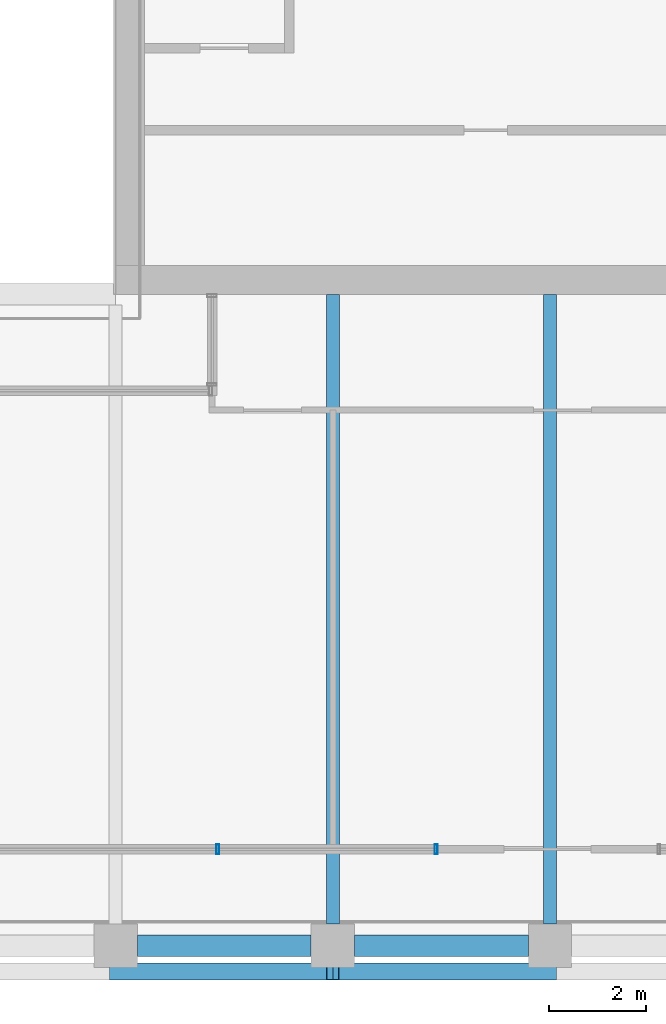
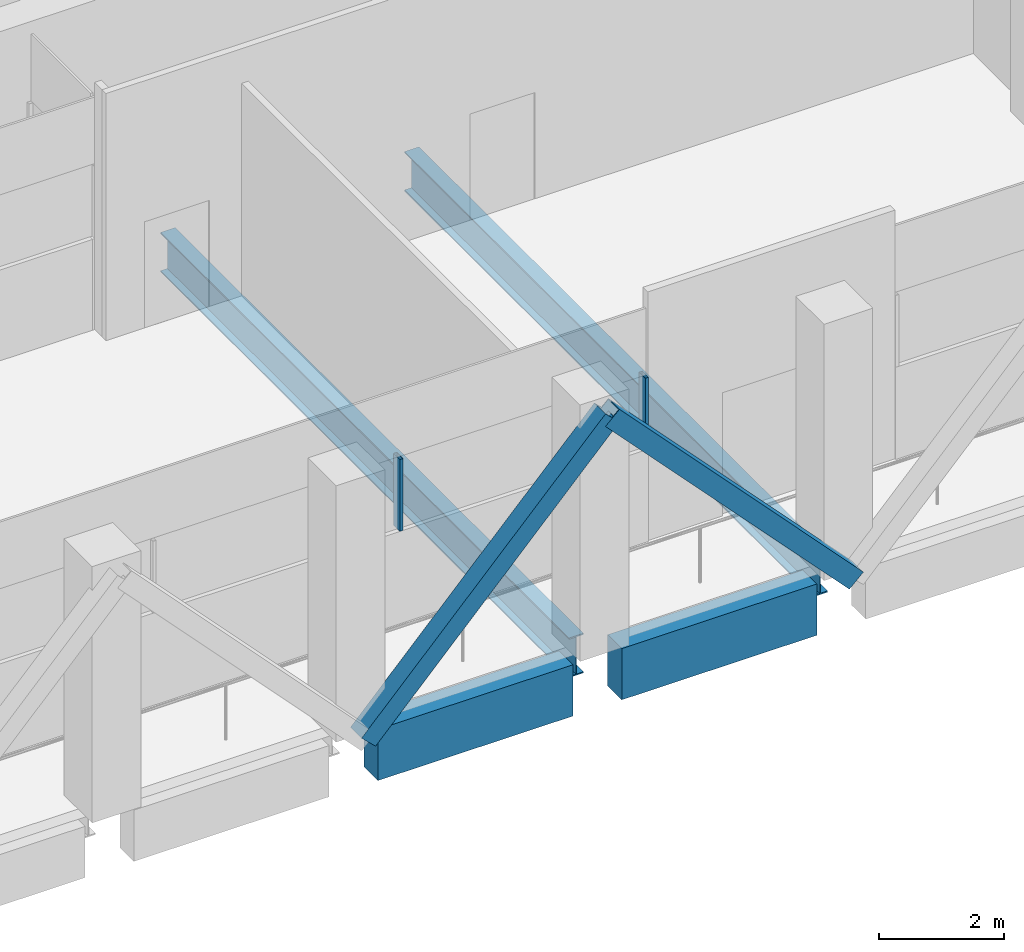
# One storey, part 5 of 34: 4 beams, 4 members, 1 element without a shape of its own.
"""IFC4 building model written with IfcOpenShell, lengths in metres."""

from ifc_helpers import new_model, si_unit, direction, frame, origin, origin_2d, place, context, subcontext, project, spatial, rectangle, hollow_rectangle, i_section, extrude, material, material_profile, profile_set, type_object, element, aggregate, save


model = new_model("IFC4")

# Units and contexts
model_context = context("Model", 3, precision=1e-05, world=origin(), true_north=direction((0.0, 1.0)))
body_context = subcontext(model_context, "Body", "Model", "MODEL_VIEW")
ifc_project = project(units=[si_unit("LENGTHUNIT", "METRE"), si_unit("AREAUNIT", "SQUARE_METRE"), si_unit("VOLUMEUNIT", "CUBIC_METRE"), si_unit("PLANEANGLEUNIT", "RADIAN"), si_unit("MASSUNIT", "GRAM", prefix="KILO")], contexts=[model_context])

# Site, building, storey
site_placement = place(None, origin())
site = spatial("IfcSite", under=ifc_project, at=site_placement, CompositionType="ELEMENT")
building_placement = place(site_placement, origin())
building = spatial("IfcBuilding", under=site, at=building_placement, Name="Altepetl Exchange Towers", CompositionType="ELEMENT")
storey_placement = place(building_placement, frame((0.0, 0.0, 190.60009765625)))
storey = spatial("IfcBuildingStorey", under=building, at=storey_placement, Name="L48 Refuge", CompositionType="ELEMENT", Elevation=190.60009765625)

# Members
ifc_material_1 = material(Name="Steel S355", Category="steel")
ifc_material_profile_1 = material_profile(ifc_material_1, hollow_rectangle(XDim=0.35595703125, YDim=0.35595703125, WallThickness=0.014892578125, at=origin_2d()), Name="HSS356X356X15.9")
ifc_profile_set_1 = profile_set([ifc_material_profile_1], Name="Steel S355")
member_type_1 = type_object("IfcMemberType", Name="Belt diagonal HSS356X356X15.9", PredefinedType="BRACE", material=ifc_profile_set_1)
for number, where, z_axis, x_axis, name in (
    (1, (40.5, 26.469970703125, 0.0), (0.687744647911, 0.0, 0.725952683906), (0.0, 1.0, 0.0), "brc:A:L48:002"),
    (2, (45.0, 26.469970703125, 4.75), (0.687744647911, 0.0, -0.725952683906), (0.0, 1.0, 0.0), "brc:A:L48:003"),
):
    element("IfcMember", number, at=place(storey_placement, frame(where, z_axis=z_axis, x_axis=x_axis)), inside=storey, type_object=member_type_1, Name=name, PredefinedType="BRACE", context=body_context, shape_type="SweptSolid", body=[
        extrude(hollow_rectangle(XDim=0.35595703125, YDim=0.35595703125, WallThickness=0.014892578125, at=origin_2d()), origin(), (0.0, 0.0, 1.0), 6.543212890625),
    ])

# Beams
ifc_material_profile_2 = material_profile(ifc_material_1, i_section(OverallWidth=0.26806640625, OverallDepth=0.77392578125, WebThickness=0.015380859375, FlangeThickness=0.025390625, at=origin_2d()), Name="W30X132")
ifc_profile_set_2 = profile_set([ifc_material_profile_2], Name="Steel S355")
beam_type_1 = type_object("IfcBeamType", Name="Floor beam W30X132", PredefinedType="BEAM", material=ifc_profile_set_2)
for number, where, z_axis, x_axis, name in (
    (3, (45.0, 27.449951171875, -0.587158203125), (0.0, 1.0, 0.0), (-1.0, 0.0, 0.0), "bm:A:L48:015"),
    (4, (49.5, 27.449951171875, -0.587158203125), (0.0, 1.0, 0.0), (-1.0, 0.0, 0.0), "bm:A:L48:016"),
):
    element("IfcBeam", number, at=place(storey_placement, frame(where, z_axis=z_axis, x_axis=x_axis)), inside=storey, type_object=beam_type_1, Name=name, PredefinedType="BEAM", context=body_context, shape_type="SweptSolid", body=[
        extrude(i_section(OverallWidth=0.26806640625, OverallDepth=0.77392578125, WebThickness=0.015380859375, FlangeThickness=0.025390625, at=origin_2d()), origin(), (0.0, 0.0, 1.0), 13.050048828125),
    ])

# Curtain wall, members
ifc_material_2 = material(Name="Aluminium 6063-T6 glazing", Category="aluminium")
curtain_wall_type = type_object("IfcCurtainWallType", Name="Refuge slit glazing system", PredefinedType="NOTDEFINED", material=ifc_material_2)
curtain_wall_placement = place(storey_placement, origin())
curtain_wall = element("IfcCurtainWall", 5, at=curtain_wall_placement, inside=storey, type_object=curtain_wall_type, Name="CW3 run", PredefinedType="NOTDEFINED")
ifc_material_3 = material(Name="Aluminium 6063-T6", Category="aluminium")
ifc_material_profile_3 = material_profile(ifc_material_3, hollow_rectangle(XDim=0.06005859375, YDim=0.199951171875, WallThickness=0.0029296875, at=origin_2d()), Name="Mullion 60x200 aluminium")
ifc_profile_set_3 = profile_set([ifc_material_profile_3], Name="Aluminium 6063-T6")
member_type_2 = type_object("IfcMemberType", Name="Mullion 60x200 aluminium", PredefinedType="MULLION", material=ifc_profile_set_3)
member_1_placement = place(storey_placement, frame((42.6142578125, 29.0, 1.7998046875)))
member_1 = element("IfcMember", 6, at=member_1_placement, type_object=member_type_2, Name="MU2 mullion", PredefinedType="MULLION", context=body_context, shape_type="SweptSolid", body=[
    extrude(hollow_rectangle(XDim=0.06005859375, YDim=0.199951171875, WallThickness=0.0029296875, at=origin_2d()), origin(), (0.0, 0.0, 1.0), 1.400146484375),
])
member_2_placement = place(storey_placement, frame((47.141357421875, 29.0, 1.7998046875)))
member_2 = element("IfcMember", 7, at=member_2_placement, type_object=member_type_2, Name="MU2 mullion", PredefinedType="MULLION", context=body_context, shape_type="SweptSolid", body=[
    extrude(hollow_rectangle(XDim=0.06005859375, YDim=0.199951171875, WallThickness=0.0029296875, at=origin_2d()), origin(), (0.0, 0.0, 1.0), 1.400146484375),
])
aggregate(curtain_wall, [member_1, member_2])

# Beams
ifc_material_4 = material(Name="Concrete C50/60 precast with cantera blanca facing", Category="concrete")
ifc_material_profile_4 = material_profile(ifc_material_4, rectangle(XDim=0.449951171875, YDim=1.0, at=origin_2d()), Name="450 x 1000")
ifc_profile_set_4 = profile_set([ifc_material_profile_4], Name="Concrete C50/60 precast with cantera blanca facing")
beam_type_2 = type_object("IfcBeamType", Name="Spandrel beam 450x1000 cantera blanca", PredefinedType="SPANDREL", material=ifc_profile_set_4)
for number, where, z_axis, x_axis, name in (
    (8, (40.949951171875, 27.0, -0.7001953125), (1.0, 0.0, 0.0), (0.0, 1.0, 0.0), "sp:A:L48:002"),
    (9, (45.449951171875, 27.0, -0.7001953125), (1.0, 0.0, 0.0), (0.0, 1.0, 0.0), "sp:A:L48:003"),
):
    element("IfcBeam", number, at=place(storey_placement, frame(where, z_axis=z_axis, x_axis=x_axis)), inside=storey, type_object=beam_type_2, Name=name, PredefinedType="SPANDREL", context=body_context, shape_type="SweptSolid", body=[
        extrude(rectangle(XDim=0.449951171875, YDim=1.0, at=origin_2d()), origin(), (0.0, 0.0, 1.0), 3.60009765625),
    ])

save(model, "model.ifc")
